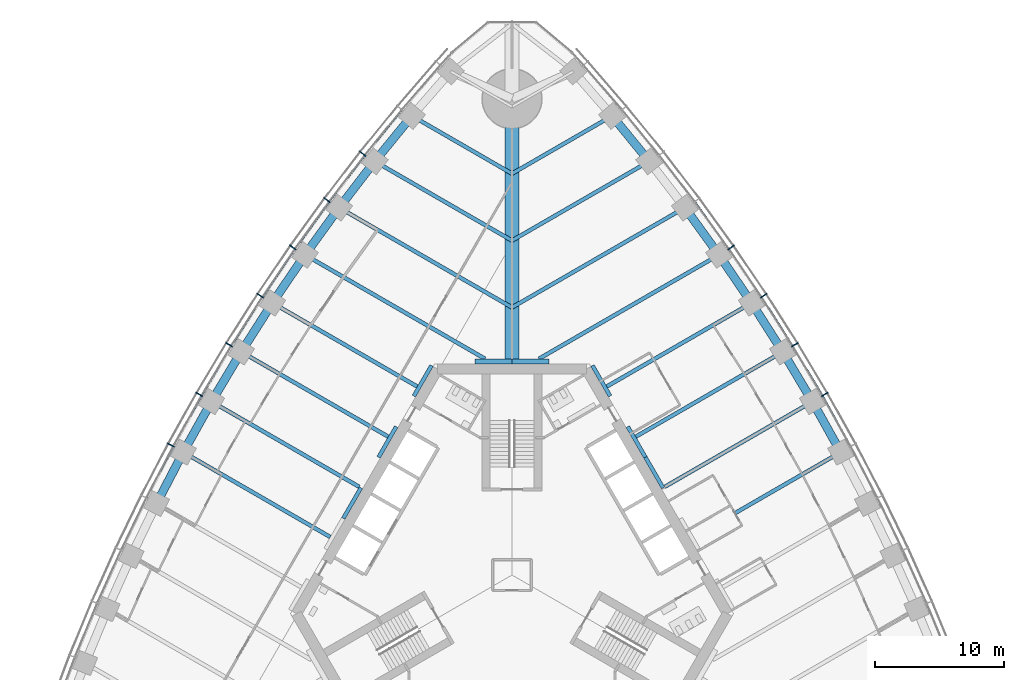
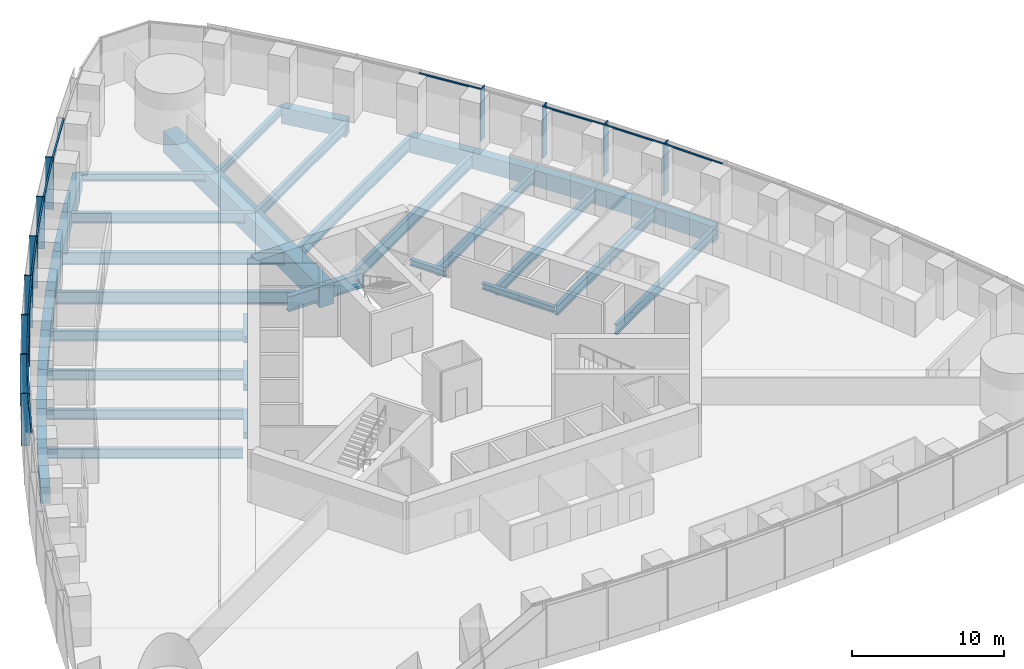
# One storey, part 4 of 18: 39 beams, 23 members, 2 elements without a shape of their own.
"""IFC4 building model written with IfcOpenShell, lengths in metres."""

from ifc_helpers import new_model, si_unit, direction, frame, origin, origin_2d, place, context, subcontext, project, spatial, rectangle, i_section, extrude, material, material_profile, profile_set, type_object, element, aggregate, save


model = new_model("IFC4")

# Units and contexts
model_context = context("Model", 3, precision=1e-05, world=origin(), true_north=direction((0.0, 1.0)))
body_context = subcontext(model_context, "Body", "Model", "MODEL_VIEW")
ifc_project = project(units=[si_unit("LENGTHUNIT", "METRE"), si_unit("AREAUNIT", "SQUARE_METRE"), si_unit("VOLUMEUNIT", "CUBIC_METRE"), si_unit("PLANEANGLEUNIT", "RADIAN"), si_unit("MASSUNIT", "GRAM", prefix="KILO")], contexts=[model_context])

# Site, building, storey
site_placement = place(None, origin())
site = spatial("IfcSite", under=ifc_project, at=site_placement, CompositionType="ELEMENT")
building_placement = place(site_placement, origin())
building = spatial("IfcBuilding", under=site, at=building_placement, Name="Trefoil Bronze Tower", CompositionType="ELEMENT")
storey_placement = place(building_placement, frame((0.0, 0.0, 50.10009765625)))
storey = spatial("IfcBuildingStorey", under=building, at=storey_placement, Name="L11", CompositionType="ELEMENT", Elevation=50.10009765625)

# Curtain wall, members
ifc_material_1 = material(Name="Tinted solar-control glass", Category="glass")
curtain_wall_type = type_object("IfcCurtainWallType", Name="Bronze office curtain wall", PredefinedType="USERDEFINED", material=ifc_material_1)
curtain_wall_1_placement = place(storey_placement, origin())
curtain_wall_1 = element("IfcCurtainWall", 1, at=curtain_wall_1_placement, inside=storey, type_object=curtain_wall_type, Name="CW-A L11 F2", ObjectType="CURTAIN WALL", PredefinedType="USERDEFINED")
ifc_material_2 = material(Name="Bronze-finish aluminium", Category="aluminium")
ifc_material_profile_1 = material_profile(ifc_material_2, rectangle(XDim=0.60009765625, YDim=0.080078125, at=origin_2d()), Name="CW-A mullion")
ifc_profile_set_1 = profile_set([ifc_material_profile_1], Name="Bronze-finish aluminium")
member_type_1 = type_object("IfcMemberType", Name="Bronze office curtain wall mullion", PredefinedType="MULLION", material=ifc_profile_set_1)
member_1_placement = place(storey_placement, frame((24.291015625, 14.0244140625, 0.0), z_axis=(0.0, 0.0, 1.0), x_axis=(-0.866025403784, -0.5, 0.0)))
member_1 = element("IfcMember", 2, at=member_1_placement, type_object=member_type_1, Name="CW-A L11 F2 mullion 9", PredefinedType="MULLION", context=body_context, shape_type="SweptSolid", body=[
    extrude(rectangle(XDim=0.60009765625, YDim=0.080078125, at=origin_2d()), origin(), (0.0, 0.0, 1.0), 4.179931640625),
])
member_2_placement = place(storey_placement, frame((21.97998046875, 17.896240234375, 0.0), z_axis=(0.0, 0.0, 1.0), x_axis=(-0.851149783004, -0.524922896141, 0.0)))
member_2 = element("IfcMember", 3, at=member_2_placement, type_object=member_type_1, Name="CW-A L11 F2 mullion 10", PredefinedType="MULLION", context=body_context, shape_type="SweptSolid", body=[
    extrude(rectangle(XDim=0.60009765625, YDim=0.080078125, at=origin_2d()), origin(), (0.0, 0.0, 1.0), 4.179931640625),
])
member_3_placement = place(storey_placement, frame((19.555419921875, 21.70263671875, 0.0), z_axis=(0.0, 0.0, 1.0), x_axis=(-0.835543651684, -0.549424067665, 0.0)))
member_3 = element("IfcMember", 4, at=member_3_placement, type_object=member_type_1, Name="CW-A L11 F2 mullion 11", PredefinedType="MULLION", context=body_context, shape_type="SweptSolid", body=[
    extrude(rectangle(XDim=0.60009765625, YDim=0.080078125, at=origin_2d()), origin(), (0.0, 0.0, 1.0), 4.179931640625),
])
member_4_placement = place(storey_placement, frame((17.01708984375, 25.443359375, 0.0), z_axis=(0.0, 0.0, 1.0), x_axis=(-0.819204207116, -0.573501932903, 0.0)))
member_4 = element("IfcMember", 5, at=member_4_placement, type_object=member_type_1, Name="CW-A L11 F2 mullion 12", PredefinedType="MULLION", context=body_context, shape_type="SweptSolid", body=[
    extrude(rectangle(XDim=0.60009765625, YDim=0.080078125, at=origin_2d()), origin(), (0.0, 0.0, 1.0), 4.179931640625),
])

curtain_wall_2_placement = place(storey_placement, origin())
curtain_wall_2 = element("IfcCurtainWall", 6, at=curtain_wall_2_placement, inside=storey, type_object=curtain_wall_type, Name="CW-A L11 F3", ObjectType="CURTAIN WALL", PredefinedType="USERDEFINED")
member_5_placement = place(storey_placement, frame((-11.595458984375, 32.7255859375, 0.0), z_axis=(0.0, 0.0, 1.0), x_axis=(0.784304615744, -0.620375910011, 0.0)))
member_5 = element("IfcMember", 7, at=member_5_placement, type_object=member_type_1, Name="CW-A L11 F3 mullion 4", PredefinedType="MULLION", context=body_context, shape_type="SweptSolid", body=[
    extrude(rectangle(XDim=0.60009765625, YDim=0.080078125, at=origin_2d()), origin(), (0.0, 0.0, 1.0), 4.179931640625),
])
member_6_placement = place(storey_placement, frame((-14.364013671875, 29.117919921875, 0.0), z_axis=(0.0, 0.0, 1.0), x_axis=(0.802126748469, -0.59715381552, 0.0)))
member_6 = element("IfcMember", 8, at=member_6_placement, type_object=member_type_1, Name="CW-A L11 F3 mullion 5", PredefinedType="MULLION", context=body_context, shape_type="SweptSolid", body=[
    extrude(rectangle(XDim=0.60009765625, YDim=0.080078125, at=origin_2d()), origin(), (0.0, 0.0, 1.0), 4.179931640625),
])
member_7_placement = place(storey_placement, frame((-17.01708984375, 25.443359375, 0.0), z_axis=(0.0, 0.0, 1.0), x_axis=(0.819204207116, -0.573501932903, 0.0)))
member_7 = element("IfcMember", 9, at=member_7_placement, type_object=member_type_1, Name="CW-A L11 F3 mullion 6", PredefinedType="MULLION", context=body_context, shape_type="SweptSolid", body=[
    extrude(rectangle(XDim=0.60009765625, YDim=0.080078125, at=origin_2d()), origin(), (0.0, 0.0, 1.0), 4.179931640625),
])
member_8_placement = place(storey_placement, frame((-19.555419921875, 21.70263671875, 0.0), z_axis=(0.0, 0.0, 1.0), x_axis=(0.835543651684, -0.549424067665, 0.0)))
member_8 = element("IfcMember", 10, at=member_8_placement, type_object=member_type_1, Name="CW-A L11 F3 mullion 7", PredefinedType="MULLION", context=body_context, shape_type="SweptSolid", body=[
    extrude(rectangle(XDim=0.60009765625, YDim=0.080078125, at=origin_2d()), origin(), (0.0, 0.0, 1.0), 4.179931640625),
])
member_9_placement = place(storey_placement, frame((-21.97998046875, 17.896240234375, 0.0), z_axis=(0.0, 0.0, 1.0), x_axis=(0.851149783004, -0.524922896141, 0.0)))
member_9 = element("IfcMember", 11, at=member_9_placement, type_object=member_type_1, Name="CW-A L11 F3 mullion 8", PredefinedType="MULLION", context=body_context, shape_type="SweptSolid", body=[
    extrude(rectangle(XDim=0.60009765625, YDim=0.080078125, at=origin_2d()), origin(), (0.0, 0.0, 1.0), 4.179931640625),
])
member_10_placement = place(storey_placement, frame((-24.291015625, 14.0244140625, 0.0), z_axis=(0.0, 0.0, 1.0), x_axis=(0.866025403784, -0.5, 0.0)))
member_10 = element("IfcMember", 12, at=member_10_placement, type_object=member_type_1, Name="CW-A L11 F3 mullion 9", PredefinedType="MULLION", context=body_context, shape_type="SweptSolid", body=[
    extrude(rectangle(XDim=0.60009765625, YDim=0.080078125, at=origin_2d()), origin(), (0.0, 0.0, 1.0), 4.179931640625),
])
member_11_placement = place(storey_placement, frame((-26.488525390625, 10.0869140625, 0.0), z_axis=(0.0, 0.0, 1.0), x_axis=(0.880171454588, -0.474655886437, 0.0)))
member_11 = element("IfcMember", 13, at=member_11_placement, type_object=member_type_1, Name="CW-A L11 F3 mullion 10", PredefinedType="MULLION", context=body_context, shape_type="SweptSolid", body=[
    extrude(rectangle(XDim=0.60009765625, YDim=0.080078125, at=origin_2d()), origin(), (0.0, 0.0, 1.0), 4.179931640625),
])

# Member
ifc_material_3 = material(Name="Bronze-finish aluminium", Category="aluminium")
ifc_material_profile_2 = material_profile(ifc_material_3, rectangle(XDim=0.1201171875, YDim=0.10009765625, at=origin_2d()), Name="CW-A transom")
ifc_profile_set_2 = profile_set([ifc_material_profile_2], Name="Bronze-finish aluminium")
member_type_2 = type_object("IfcMemberType", Name="Bronze office curtain wall transom", PredefinedType="USERDEFINED", material=ifc_profile_set_2)
member_12_placement = place(storey_placement, frame((26.29248046875, 10.0283203125, 4.1298828125), z_axis=(-0.487400435348, 0.873178570295, 0.0), x_axis=(-0.873178570295, -0.487400435348, 0.0)))
member_12 = element("IfcMember", 14, at=member_12_placement, type_object=member_type_2, Name="CW-A L11 F2 transom 8", ObjectType="TRANSOM", PredefinedType="USERDEFINED", context=body_context, shape_type="SweptSolid", body=[
    extrude(rectangle(XDim=0.1201171875, YDim=0.10009765625, at=origin_2d()), origin(), (0.0, 0.0, 1.0), 4.42041015625),
])

member_13_placement = place(storey_placement, frame((24.096435546875, 13.9599609375, 4.1298828125), z_axis=(-0.512536988879, 0.858665147209, 0.0), x_axis=(-0.858665147209, -0.512536988879, 0.0)))
member_13 = element("IfcMember", 15, at=member_13_placement, type_object=member_type_2, Name="CW-A L11 F2 transom 9", ObjectType="TRANSOM", PredefinedType="USERDEFINED", context=body_context, shape_type="SweptSolid", body=[
    extrude(rectangle(XDim=0.1201171875, YDim=0.10009765625, at=origin_2d()), origin(), (0.0, 0.0, 1.0), 4.42041015625),
])

member_14_placement = place(storey_placement, frame((21.787353515625, 17.826171875, 4.1298828125), z_axis=(-0.537196807268, 0.843456928515, 0.0), x_axis=(-0.843456928515, -0.537196807268, 0.0)))
member_14 = element("IfcMember", 16, at=member_14_placement, type_object=member_type_2, Name="CW-A L11 F2 transom 10", ObjectType="TRANSOM", PredefinedType="USERDEFINED", context=body_context, shape_type="SweptSolid", body=[
    extrude(rectangle(XDim=0.1201171875, YDim=0.10009765625, at=origin_2d()), origin(), (0.0, 0.0, 1.0), 4.42431640625),
])

member_15_placement = place(storey_placement, frame((16.828857421875, 25.3623046875, 4.1298828125), z_axis=(-0.585378207433, 0.81076035563, 0.0), x_axis=(-0.81076035563, -0.585378207433, 0.0)))
member_15 = element("IfcMember", 17, at=member_15_placement, type_object=member_type_2, Name="CW-A L11 F2 transom 12", ObjectType="TRANSOM", PredefinedType="USERDEFINED", context=body_context, shape_type="SweptSolid", body=[
    extrude(rectangle(XDim=0.1201171875, YDim=0.10009765625, at=origin_2d()), origin(), (0.0, 0.0, 1.0), 4.443359375),
])

aggregate(curtain_wall_1, [member_1, member_2, member_3, member_4, member_12, member_13, member_14, member_15])

member_16_placement = place(storey_placement, frame((-8.582763671875, 36.10498046875, 4.1298828125), z_axis=(-0.631835540201, -0.775102477185, 0.0), x_axis=(0.775102477185, -0.631835540201, 0.0)))
member_16 = element("IfcMember", 18, at=member_16_placement, type_object=member_type_2, Name="CW-A L11 F3 transom 3", ObjectType="TRANSOM", PredefinedType="USERDEFINED", context=body_context, shape_type="SweptSolid", body=[
    extrude(rectangle(XDim=0.1201171875, YDim=0.10009765625, at=origin_2d()), origin(), (0.0, 0.0, 1.0), 4.478271484375),
])

member_17_placement = place(storey_placement, frame((-11.4638671875, 32.568603515625, 4.1298828125), z_axis=(-0.608829203216, -0.793301330713, 0.0), x_axis=(0.793301330713, -0.608829203216, 0.0)))
member_17 = element("IfcMember", 19, at=member_17_placement, type_object=member_type_2, Name="CW-A L11 F3 transom 4", ObjectType="TRANSOM", PredefinedType="USERDEFINED", context=body_context, shape_type="SweptSolid", body=[
    extrude(rectangle(XDim=0.1201171875, YDim=0.10009765625, at=origin_2d()), origin(), (0.0, 0.0, 1.0), 4.458740234375),
])

member_18_placement = place(storey_placement, frame((-14.227783203125, 28.96484375, 4.1298828125), z_axis=(-0.585378207433, -0.81076035563, 0.0), x_axis=(0.81076035563, -0.585378207433, 0.0)))
member_18 = element("IfcMember", 20, at=member_18_placement, type_object=member_type_2, Name="CW-A L11 F3 transom 5", ObjectType="TRANSOM", PredefinedType="USERDEFINED", context=body_context, shape_type="SweptSolid", body=[
    extrude(rectangle(XDim=0.1201171875, YDim=0.10009765625, at=origin_2d()), origin(), (0.0, 0.0, 1.0), 4.443359375),
])

member_19_placement = place(storey_placement, frame((-16.87646484375, 25.29443359375, 4.1298828125), z_axis=(-0.561508153923, -0.827471203775, 0.0), x_axis=(0.827471203775, -0.561508153923, 0.0)))
member_19 = element("IfcMember", 21, at=member_19_placement, type_object=member_type_2, Name="CW-A L11 F3 transom 6", ObjectType="TRANSOM", PredefinedType="USERDEFINED", context=body_context, shape_type="SweptSolid", body=[
    extrude(rectangle(XDim=0.1201171875, YDim=0.10009765625, at=origin_2d()), origin(), (0.0, 0.0, 1.0), 4.431884765625),
])

member_20_placement = place(storey_placement, frame((-19.41064453125, 21.557861328125, 4.1298828125), z_axis=(-0.537196807268, -0.843456928515, 0.0), x_axis=(0.843456928515, -0.537196807268, 0.0)))
member_20 = element("IfcMember", 22, at=member_20_placement, type_object=member_type_2, Name="CW-A L11 F3 transom 7", ObjectType="TRANSOM", PredefinedType="USERDEFINED", context=body_context, shape_type="SweptSolid", body=[
    extrude(rectangle(XDim=0.1201171875, YDim=0.10009765625, at=origin_2d()), origin(), (0.0, 0.0, 1.0), 4.42431640625),
])

member_21_placement = place(storey_placement, frame((-21.830810546875, 17.755615234375, 4.1298828125), z_axis=(-0.512536988879, -0.858665147209, 0.0), x_axis=(0.858665147209, -0.512536988879, 0.0)))
member_21 = element("IfcMember", 23, at=member_21_placement, type_object=member_type_2, Name="CW-A L11 F3 transom 8", ObjectType="TRANSOM", PredefinedType="USERDEFINED", context=body_context, shape_type="SweptSolid", body=[
    extrude(rectangle(XDim=0.1201171875, YDim=0.10009765625, at=origin_2d()), origin(), (0.0, 0.0, 1.0), 4.42041015625),
])

member_22_placement = place(storey_placement, frame((-24.137939453125, 13.88818359375, 4.1298828125), z_axis=(-0.487400435348, -0.873178570295, 0.0), x_axis=(0.873178570295, -0.487400435348, 0.0)))
member_22 = element("IfcMember", 24, at=member_22_placement, type_object=member_type_2, Name="CW-A L11 F3 transom 9", ObjectType="TRANSOM", PredefinedType="USERDEFINED", context=body_context, shape_type="SweptSolid", body=[
    extrude(rectangle(XDim=0.1201171875, YDim=0.10009765625, at=origin_2d()), origin(), (0.0, 0.0, 1.0), 4.42041015625),
])

member_23_placement = place(storey_placement, frame((-26.331787109375, 9.955322265625, 4.1298828125), z_axis=(-0.461809621225, -0.886979071762, 0.0), x_axis=(0.886979071762, -0.461809621225, 0.0)))
member_23 = element("IfcMember", 25, at=member_23_placement, type_object=member_type_2, Name="CW-A L11 F3 transom 10", ObjectType="TRANSOM", PredefinedType="USERDEFINED", context=body_context, shape_type="SweptSolid", body=[
    extrude(rectangle(XDim=0.1201171875, YDim=0.10009765625, at=origin_2d()), origin(), (0.0, 0.0, 1.0), 4.42431640625),
])

aggregate(curtain_wall_2, [member_5, member_6, member_7, member_8, member_9, member_10, member_11, member_16, member_17, member_18, member_19, member_20, member_21, member_22, member_23])

# Beams
ifc_material_4 = material(Name="Steel C355", Category="steel")
ifc_material_profile_3 = material_profile(ifc_material_4, i_section(OverallWidth=0.300048828125, OverallDepth=0.5, WebThickness=0.014404296875, FlangeThickness=0.028076171875, FilletRadius=0.027099609375, at=origin_2d()), Name="HEB 500")
ifc_profile_set_3 = profile_set([ifc_material_profile_3], Name="Steel C355")
beam_type_1 = type_object("IfcBeamType", Name="Core seat beam HEB 500", PredefinedType="BEAM", material=ifc_profile_set_3)
for number, where, z_axis, x_axis, name in (
    (26, (11.734619140625, 6.77490234375, -0.4501953125), (-0.499969057507, 0.866043267704, 0.0), (-0.866043267704, -0.499969057507, 0.0), "Core seat beam F2/+0 L11"),
    (27, (10.363525390625, 9.14990234375, -0.4501953125), (-0.500035825175, 0.866004719122, 0.0), (-0.866004719122, -0.500035825175, 0.0), "Core seat beam F2/+1 L11"),
    (28, (7.62109375, 13.89990234375, -0.4501953125), (-0.500035825175, 0.866004719122, 0.0), (-0.866004719122, -0.500035825175, 0.0), "Core seat beam F2/+2 L11"),
    (29, (-6.249755859375, 16.27490234375, -0.4501953125), (-0.500035825175, -0.866004719122, 0.0), (0.866004719122, -0.500035825175, 0.0), "Core seat beam F3/-2 L11"),
    (30, (-8.9921875, 11.52490234375, -0.4501953125), (-0.500035825175, -0.866004719122, 0.0), (0.866004719122, -0.500035825175, 0.0), "Core seat beam F3/-1 L11"),
    (31, (-11.734619140625, 6.77490234375, -0.4501953125), (-0.500035825175, -0.866004719122, 0.0), (0.866004719122, -0.500035825175, 0.0), "Core seat beam F3/+0 L11"),
):
    element("IfcBeam", number, at=place(storey_placement, frame(where, z_axis=z_axis, x_axis=x_axis)), inside=storey, type_object=beam_type_1, Name=name, PredefinedType="BEAM", context=body_context, shape_type="SweptSolid", body=[
        extrude(i_section(OverallWidth=0.300048828125, OverallDepth=0.5, WebThickness=0.014404296875, FlangeThickness=0.028076171875, FilletRadius=0.027099609375, at=origin_2d()), origin(), (0.0, 0.0, 1.0), 2.742431640625),
    ])
ifc_material_5 = material(Name="Steel C355", Category="steel")
ifc_material_profile_4 = material_profile(ifc_material_5, i_section(OverallWidth=0.39990234375, OverallDepth=1.199951171875, WebThickness=0.02001953125, FlangeThickness=0.0400390625, FilletRadius=0.010009765625, at=origin_2d()), Name="WPG 1200")
ifc_profile_set_4 = profile_set([ifc_material_profile_4], Name="Steel C355")
beam_type_2 = type_object("IfcBeamType", Name="Core seat beam WPG 1200", PredefinedType="BEAM", material=ifc_profile_set_4)
for number, where, z_axis, x_axis, name in (
    (32, (2.88671875, 16.60009765625, -0.800048828125), (-1.0, 0.0, 0.0), (0.0, -1.0, 0.0), "Core seat beam F2/+3 L11"),
    (33, (0.0, 16.60009765625, -0.800048828125), (-1.0, 0.0, 0.0), (0.0, -1.0, 0.0), "Core seat beam F3/-3 L11"),
):
    element("IfcBeam", number, at=place(storey_placement, frame(where, z_axis=z_axis, x_axis=x_axis)), inside=storey, type_object=beam_type_2, Name=name, PredefinedType="BEAM", context=body_context, shape_type="SweptSolid", body=[
        extrude(i_section(OverallWidth=0.39990234375, OverallDepth=1.199951171875, WebThickness=0.02001953125, FlangeThickness=0.0400390625, FilletRadius=0.010009765625, at=origin_2d()), origin(), (0.0, 0.0, 1.0), 2.88671875),
    ])
ifc_material_6 = material(Name="Concrete B80", Category="concrete")
ifc_material_profile_5 = material_profile(ifc_material_6, rectangle(XDim=1.10009765625, YDim=1.699951171875, at=origin_2d()), Name="RC 1100x1700")
ifc_profile_set_5 = profile_set([ifc_material_profile_5], Name="Concrete B80")
beam_type_3 = type_object("IfcBeamType", Name="Corner girder RC 1100x1700", PredefinedType="BEAM", material=ifc_profile_set_5)
beam_1_placement = place(storey_placement, frame((0.0, 16.39990234375, -1.050048828125), z_axis=(0.0, 1.0, 0.0), x_axis=(-1.0, 0.0, 0.0)))
element("IfcBeam", 34, at=beam_1_placement, inside=storey, type_object=beam_type_3, Name="Corner girder K2 L11", PredefinedType="BEAM", context=body_context, shape_type="SweptSolid", body=[
    extrude(rectangle(XDim=1.10009765625, YDim=1.699951171875, at=origin_2d()), origin(), (0.0, 0.0, 1.0), 20.60009765625),
])
ifc_material_7 = material(Name="Steel C355", Category="steel")
ifc_material_profile_6 = material_profile(ifc_material_7, i_section(OverallWidth=0.300048828125, OverallDepth=0.590087890625, WebThickness=0.012939453125, FlangeThickness=0.02490234375, FilletRadius=0.027099609375, at=origin_2d()), Name="HEA 600")
ifc_profile_set_6 = profile_set([ifc_material_profile_6], Name="Steel C355")
beam_type_4 = type_object("IfcBeamType", Name="Floor beam HEA 600", PredefinedType="BEAM", material=ifc_profile_set_6)
for number, where, z_axis, x_axis, name in (
    (35, (7.7763671875, 35.666748046875, -0.4951171875), (-0.866022587327, -0.500004878216, 0.0), (0.500004878216, -0.866022587327, 0.0), "Floor beam F2/+6 L11"),
    (36, (-7.7763671875, 35.666748046875, -0.4951171875), (0.866022587327, -0.500004878216, 0.0), (0.500004878216, 0.866022587327, 0.0), "Floor beam F3/-6 L11"),
):
    element("IfcBeam", number, at=place(storey_placement, frame(where, z_axis=z_axis, x_axis=x_axis)), inside=storey, type_object=beam_type_4, Name=name, PredefinedType="BEAM", context=body_context, shape_type="SweptSolid", body=[
        extrude(i_section(OverallWidth=0.300048828125, OverallDepth=0.590087890625, WebThickness=0.012939453125, FlangeThickness=0.02490234375, FilletRadius=0.027099609375, at=origin_2d()), origin(), (0.0, 0.0, 1.0), 8.9794921875),
    ])
ifc_material_8 = material(Name="Steel C355", Category="steel")
ifc_material_profile_7 = material_profile(ifc_material_8, i_section(OverallWidth=0.300048828125, OverallDepth=1.0, WebThickness=0.01904296875, FlangeThickness=0.035888671875, FilletRadius=0.030029296875, at=origin_2d()), Name="HEB 1000")
ifc_profile_set_7 = profile_set([ifc_material_profile_7], Name="Steel C355")
beam_type_5 = type_object("IfcBeamType", Name="Floor beam HEB 1000", PredefinedType="BEAM", material=ifc_profile_set_7)
for number, where, z_axis, x_axis, name in (
    (37, (13.42578125, 28.5361328125, -0.7001953125), (-0.866022989816, -0.500004181093, 0.0), (0.500004181093, -0.866022989816, 0.0), "Floor beam F2/+4 L11"),
    (38, (-13.42578125, 28.5361328125, -0.7001953125), (0.866022989816, -0.500004181093, 0.0), (0.500004181093, 0.866022989816, 0.0), "Floor beam F3/-4 L11"),
):
    element("IfcBeam", number, at=place(storey_placement, frame(where, z_axis=z_axis, x_axis=x_axis)), inside=storey, type_object=beam_type_5, Name=name, PredefinedType="BEAM", context=body_context, shape_type="SweptSolid", body=[
        extrude(i_section(OverallWidth=0.300048828125, OverallDepth=1.0, WebThickness=0.01904296875, FlangeThickness=0.035888671875, FilletRadius=0.030029296875, at=origin_2d()), origin(), (0.0, 0.0, 1.0), 15.502685546875),
    ])
ifc_material_9 = material(Name="Steel C355", Category="steel")
ifc_material_profile_8 = material_profile(ifc_material_9, i_section(OverallWidth=0.300048828125, OverallDepth=0.800048828125, WebThickness=0.017578125, FlangeThickness=0.032958984375, FilletRadius=0.030029296875, at=origin_2d()), Name="HEB 800")
ifc_profile_set_8 = profile_set([ifc_material_profile_8], Name="Steel C355")
beam_type_6 = type_object("IfcBeamType", Name="Floor beam HEB 800", PredefinedType="BEAM", material=ifc_profile_set_8)
beam_2_placement = place(storey_placement, frame((25.531494140625, 9.54443359375, -0.60009765625), z_axis=(-0.866027071639, -0.499997111179, 0.0), x_axis=(0.499997111179, -0.866027071639, 0.0)))
element("IfcBeam", 39, at=beam_2_placement, inside=storey, type_object=beam_type_6, Name="Floor beam F2/-1 L11", PredefinedType="BEAM", context=body_context, shape_type="SweptSolid", body=[
    extrude(i_section(OverallWidth=0.300048828125, OverallDepth=0.800048828125, WebThickness=0.017578125, FlangeThickness=0.032958984375, FilletRadius=0.030029296875, at=origin_2d()), origin(), (0.0, 0.0, 1.0), 13.18310546875),
])
beam_3_placement = place(storey_placement, frame((23.33837890625, 13.474365234375, -0.60009765625), z_axis=(-0.866031233401, -0.499989902672, 0.0), x_axis=(0.499989902672, -0.866031233401, 0.0)))
element("IfcBeam", 40, at=beam_3_placement, inside=storey, type_object=beam_type_6, Name="Floor beam F2/+0 L11", PredefinedType="BEAM", context=body_context, shape_type="SweptSolid", body=[
    extrude(i_section(OverallWidth=0.300048828125, OverallDepth=0.800048828125, WebThickness=0.017578125, FlangeThickness=0.032958984375, FilletRadius=0.030029296875, at=origin_2d()), origin(), (0.0, 0.0, 1.0), 13.248779296875),
])
beam_4_placement = place(storey_placement, frame((21.031494140625, 17.338623046875, -0.60009765625), z_axis=(-0.866027071639, -0.499997111179, 0.0), x_axis=(0.499997111179, -0.866027071639, 0.0)))
element("IfcBeam", 41, at=beam_4_placement, inside=storey, type_object=beam_type_6, Name="Floor beam F2/+1 L11", PredefinedType="BEAM", context=body_context, shape_type="SweptSolid", body=[
    extrude(i_section(OverallWidth=0.300048828125, OverallDepth=0.800048828125, WebThickness=0.017578125, FlangeThickness=0.032958984375, FilletRadius=0.030029296875, at=origin_2d()), origin(), (0.0, 0.0, 1.0), 13.18310546875),
])
beam_5_placement = place(storey_placement, frame((18.61083984375, 21.13720703125, -0.60009765625), z_axis=(-0.866030615021, -0.499990973765, 0.0), x_axis=(0.499990973765, -0.866030615021, 0.0)))
element("IfcBeam", 42, at=beam_5_placement, inside=storey, type_object=beam_type_6, Name="Floor beam F2/+2 L11", PredefinedType="BEAM", context=body_context, shape_type="SweptSolid", body=[
    extrude(i_section(OverallWidth=0.300048828125, OverallDepth=0.800048828125, WebThickness=0.017578125, FlangeThickness=0.032958984375, FilletRadius=0.030029296875, at=origin_2d()), origin(), (0.0, 0.0, 1.0), 12.986083984375),
])
for number, where, z_axis, x_axis, name in (
    (43, (10.659912109375, 32.13525390625, -0.60009765625), (-0.866024070878, -0.500002308654, 0.0), (0.500002308654, -0.866024070878, 0.0), "Floor beam F2/+5 L11"),
    (44, (-10.659912109375, 32.13525390625, -0.60009765625), (0.866024070878, -0.500002308654, 0.0), (0.500002308654, 0.866024070878, 0.0), "Floor beam F3/-5 L11"),
):
    element("IfcBeam", number, at=place(storey_placement, frame(where, z_axis=z_axis, x_axis=x_axis)), inside=storey, type_object=beam_type_6, Name=name, PredefinedType="BEAM", context=body_context, shape_type="SweptSolid", body=[
        extrude(i_section(OverallWidth=0.300048828125, OverallDepth=0.800048828125, WebThickness=0.017578125, FlangeThickness=0.032958984375, FilletRadius=0.030029296875, at=origin_2d()), origin(), (0.0, 0.0, 1.0), 12.30908203125),
    ])
beam_6_placement = place(storey_placement, frame((-18.61083984375, 21.13720703125, -0.60009765625), z_axis=(0.866030615021, -0.499990973765, 0.0), x_axis=(0.499990973765, 0.866030615021, 0.0)))
element("IfcBeam", 45, at=beam_6_placement, inside=storey, type_object=beam_type_6, Name="Floor beam F3/-2 L11", PredefinedType="BEAM", context=body_context, shape_type="SweptSolid", body=[
    extrude(i_section(OverallWidth=0.300048828125, OverallDepth=0.800048828125, WebThickness=0.017578125, FlangeThickness=0.032958984375, FilletRadius=0.030029296875, at=origin_2d()), origin(), (0.0, 0.0, 1.0), 12.986083984375),
])
beam_7_placement = place(storey_placement, frame((-21.031494140625, 17.338623046875, -0.60009765625), z_axis=(0.866027071639, -0.499997111179, 0.0), x_axis=(0.499997111179, 0.866027071639, 0.0)))
element("IfcBeam", 46, at=beam_7_placement, inside=storey, type_object=beam_type_6, Name="Floor beam F3/-1 L11", PredefinedType="BEAM", context=body_context, shape_type="SweptSolid", body=[
    extrude(i_section(OverallWidth=0.300048828125, OverallDepth=0.800048828125, WebThickness=0.017578125, FlangeThickness=0.032958984375, FilletRadius=0.030029296875, at=origin_2d()), origin(), (0.0, 0.0, 1.0), 13.18310546875),
])
beam_8_placement = place(storey_placement, frame((-23.33837890625, 13.474365234375, -0.60009765625), z_axis=(0.866031233401, -0.499989902672, 0.0), x_axis=(0.499989902672, 0.866031233401, 0.0)))
element("IfcBeam", 47, at=beam_8_placement, inside=storey, type_object=beam_type_6, Name="Floor beam F3/+0 L11", PredefinedType="BEAM", context=body_context, shape_type="SweptSolid", body=[
    extrude(i_section(OverallWidth=0.300048828125, OverallDepth=0.800048828125, WebThickness=0.017578125, FlangeThickness=0.032958984375, FilletRadius=0.030029296875, at=origin_2d()), origin(), (0.0, 0.0, 1.0), 13.248779296875),
])
beam_9_placement = place(storey_placement, frame((-25.531494140625, 9.54443359375, -0.60009765625), z_axis=(0.866027071639, -0.499997111179, 0.0), x_axis=(0.499997111179, 0.866027071639, 0.0)))
element("IfcBeam", 48, at=beam_9_placement, inside=storey, type_object=beam_type_6, Name="Floor beam F3/+1 L11", PredefinedType="BEAM", context=body_context, shape_type="SweptSolid", body=[
    extrude(i_section(OverallWidth=0.300048828125, OverallDepth=0.800048828125, WebThickness=0.017578125, FlangeThickness=0.032958984375, FilletRadius=0.030029296875, at=origin_2d()), origin(), (0.0, 0.0, 1.0), 13.18310546875),
])
ifc_material_10 = material(Name="Steel C355", Category="steel")
ifc_material_profile_9 = material_profile(ifc_material_10, i_section(OverallWidth=0.302001953125, OverallDepth=1.008056640625, WebThickness=0.02099609375, FlangeThickness=0.0400390625, FilletRadius=0.030029296875, at=origin_2d()), Name="HEM 1000")
ifc_profile_set_9 = profile_set([ifc_material_profile_9], Name="Steel C355")
beam_type_7 = type_object("IfcBeamType", Name="Floor beam HEM 1000", PredefinedType="BEAM", material=ifc_profile_set_9)
for number, where, z_axis, x_axis, name in (
    (49, (16.075927734375, 24.869873046875, -0.7041015625), (-0.866028401131, -0.499994808408, 0.0), (0.499994808408, -0.866028401131, 0.0), "Floor beam F2/+3 L11"),
    (50, (-16.075927734375, 24.869873046875, -0.7041015625), (0.866028401131, -0.499994808408, 0.0), (0.499994808408, 0.866028401131, 0.0), "Floor beam F3/-3 L11"),
):
    element("IfcBeam", number, at=place(storey_placement, frame(where, z_axis=z_axis, x_axis=x_axis)), inside=storey, type_object=beam_type_7, Name=name, PredefinedType="BEAM", context=body_context, shape_type="SweptSolid", body=[
        extrude(i_section(OverallWidth=0.302001953125, OverallDepth=1.008056640625, WebThickness=0.02099609375, FlangeThickness=0.0400390625, FilletRadius=0.030029296875, at=origin_2d()), origin(), (0.0, 0.0, 1.0), 16.139892578125),
    ])
ifc_material_11 = material(Name="Concrete B80", Category="concrete")
ifc_material_profile_10 = material_profile(ifc_material_11, rectangle(XDim=0.64990234375, YDim=1.300048828125, at=origin_2d()), Name="RC 650x1300")
ifc_profile_set_10 = profile_set([ifc_material_profile_10], Name="Concrete B80")
beam_type_8 = type_object("IfcBeamType", Name="Spandrel beam RC 650x1300", PredefinedType="SPANDREL", material=ifc_profile_set_10)
for number, where, z_axis, x_axis, name in (
    (51, (25.531494140625, 9.54443359375, -0.85009765625), (-0.487309404804, 0.873229376504, 0.0), (-0.873229376504, -0.487309404804, 0.0), "Spandrel F2.8 L11"),
    (52, (23.33837890625, 13.474365234375, -0.85009765625), (-0.512587831591, 0.858634797166, 0.0), (-0.858634797166, -0.512587831591, 0.0), "Spandrel F2.9 L11"),
):
    element("IfcBeam", number, at=place(storey_placement, frame(where, z_axis=z_axis, x_axis=x_axis)), inside=storey, type_object=beam_type_8, Name=name, PredefinedType="SPANDREL", context=body_context, shape_type="SweptSolid", body=[
        extrude(rectangle(XDim=0.64990234375, YDim=1.300048828125, at=origin_2d()), origin(), (0.0, 0.0, 1.0), 4.50048828125),
    ])
beam_10_placement = place(storey_placement, frame((21.031494140625, 17.338623046875, -0.85009765625), z_axis=(-0.537408473305, 0.843322081307, 0.0), x_axis=(-0.843322081307, -0.537408473305, 0.0)))
element("IfcBeam", 53, at=beam_10_placement, inside=storey, type_object=beam_type_8, Name="Spandrel F2.10 L11", PredefinedType="SPANDREL", context=body_context, shape_type="SweptSolid", body=[
    extrude(rectangle(XDim=0.64990234375, YDim=1.300048828125, at=origin_2d()), origin(), (0.0, 0.0, 1.0), 4.50439453125),
])
beam_11_placement = place(storey_placement, frame((18.61083984375, 21.13720703125, -0.85009765625), z_axis=(-0.561809680291, 0.827266512758, 0.0), x_axis=(-0.827266512758, -0.561809680291, 0.0)))
element("IfcBeam", 54, at=beam_11_placement, inside=storey, type_object=beam_type_8, Name="Spandrel F2.11 L11", PredefinedType="SPANDREL", context=body_context, shape_type="SweptSolid", body=[
    extrude(rectangle(XDim=0.64990234375, YDim=1.300048828125, at=origin_2d()), origin(), (0.0, 0.0, 1.0), 4.511962890625),
])
beam_12_placement = place(storey_placement, frame((16.075927734375, 24.869873046875, -0.85009765625), z_axis=(-0.585823508301, 0.810438657223, 0.0), x_axis=(-0.810438657223, -0.585823508301, 0.0)))
element("IfcBeam", 55, at=beam_12_placement, inside=storey, type_object=beam_type_8, Name="Spandrel F2.12 L11", PredefinedType="SPANDREL", context=body_context, shape_type="SweptSolid", body=[
    extrude(rectangle(XDim=0.64990234375, YDim=1.300048828125, at=origin_2d()), origin(), (0.0, 0.0, 1.0), 4.523681640625),
])
for number, where, z_axis, x_axis, name in (
    (56, (10.659912109375, 32.13525390625, -0.85009765625), (-0.632467643363, 0.774586780225, 0.0), (-0.774586780225, -0.632467643363, 0.0), "Spandrel F2.14 L11"),
    (57, (-7.7763671875, 35.666748046875, -0.85009765625), (-0.632467643363, -0.774586780225, 0.0), (0.774586780225, -0.632467643363, 0.0), "Spandrel F3.3 L11"),
):
    element("IfcBeam", number, at=place(storey_placement, frame(where, z_axis=z_axis, x_axis=x_axis)), inside=storey, type_object=beam_type_8, Name=name, PredefinedType="SPANDREL", context=body_context, shape_type="SweptSolid", body=[
        extrude(rectangle(XDim=0.64990234375, YDim=1.300048828125, at=origin_2d()), origin(), (0.0, 0.0, 1.0), 4.55908203125),
    ])
beam_13_placement = place(storey_placement, frame((-10.659912109375, 32.13525390625, -0.85009765625), z_axis=(-0.609338992146, -0.792909826305, 0.0), x_axis=(0.792909826305, -0.609338992146, 0.0)))
element("IfcBeam", 58, at=beam_13_placement, inside=storey, type_object=beam_type_8, Name="Spandrel F3.4 L11", PredefinedType="SPANDREL", context=body_context, shape_type="SweptSolid", body=[
    extrude(rectangle(XDim=0.64990234375, YDim=1.300048828125, at=origin_2d()), origin(), (0.0, 0.0, 1.0), 4.5390625),
])
beam_14_placement = place(storey_placement, frame((-13.42578125, 28.5361328125, -0.85009765625), z_axis=(-0.585823508301, -0.810438657223, 0.0), x_axis=(0.810438657223, -0.585823508301, 0.0)))
element("IfcBeam", 59, at=beam_14_placement, inside=storey, type_object=beam_type_8, Name="Spandrel F3.5 L11", PredefinedType="SPANDREL", context=body_context, shape_type="SweptSolid", body=[
    extrude(rectangle(XDim=0.64990234375, YDim=1.300048828125, at=origin_2d()), origin(), (0.0, 0.0, 1.0), 4.523681640625),
])
beam_15_placement = place(storey_placement, frame((-16.075927734375, 24.869873046875, -0.85009765625), z_axis=(-0.561809680291, -0.827266512758, 0.0), x_axis=(0.827266512758, -0.561809680291, 0.0)))
element("IfcBeam", 60, at=beam_15_placement, inside=storey, type_object=beam_type_8, Name="Spandrel F3.6 L11", PredefinedType="SPANDREL", context=body_context, shape_type="SweptSolid", body=[
    extrude(rectangle(XDim=0.64990234375, YDim=1.300048828125, at=origin_2d()), origin(), (0.0, 0.0, 1.0), 4.511962890625),
])
beam_16_placement = place(storey_placement, frame((-18.61083984375, 21.13720703125, -0.85009765625), z_axis=(-0.537408473305, -0.843322081307, 0.0), x_axis=(0.843322081307, -0.537408473305, 0.0)))
element("IfcBeam", 61, at=beam_16_placement, inside=storey, type_object=beam_type_8, Name="Spandrel F3.7 L11", PredefinedType="SPANDREL", context=body_context, shape_type="SweptSolid", body=[
    extrude(rectangle(XDim=0.64990234375, YDim=1.300048828125, at=origin_2d()), origin(), (0.0, 0.0, 1.0), 4.50439453125),
])
for number, where, z_axis, x_axis, name in (
    (62, (-21.031494140625, 17.338623046875, -0.85009765625), (-0.512587831591, -0.858634797166, 0.0), (0.858634797166, -0.512587831591, 0.0), "Spandrel F3.8 L11"),
    (63, (-23.33837890625, 13.474365234375, -0.85009765625), (-0.487309404804, -0.873229376504, 0.0), (0.873229376504, -0.487309404804, 0.0), "Spandrel F3.9 L11"),
):
    element("IfcBeam", number, at=place(storey_placement, frame(where, z_axis=z_axis, x_axis=x_axis)), inside=storey, type_object=beam_type_8, Name=name, PredefinedType="SPANDREL", context=body_context, shape_type="SweptSolid", body=[
        extrude(rectangle(XDim=0.64990234375, YDim=1.300048828125, at=origin_2d()), origin(), (0.0, 0.0, 1.0), 4.50048828125),
    ])
beam_17_placement = place(storey_placement, frame((-25.531494140625, 9.54443359375, -0.85009765625), z_axis=(-0.461637716615, -0.887068553495, 0.0), x_axis=(0.887068553495, -0.461637716615, 0.0)))
element("IfcBeam", 64, at=beam_17_placement, inside=storey, type_object=beam_type_8, Name="Spandrel F3.10 L11", PredefinedType="SPANDREL", context=body_context, shape_type="SweptSolid", body=[
    extrude(rectangle(XDim=0.64990234375, YDim=1.300048828125, at=origin_2d()), origin(), (0.0, 0.0, 1.0), 4.50439453125),
])

save(model, "model.ifc")
